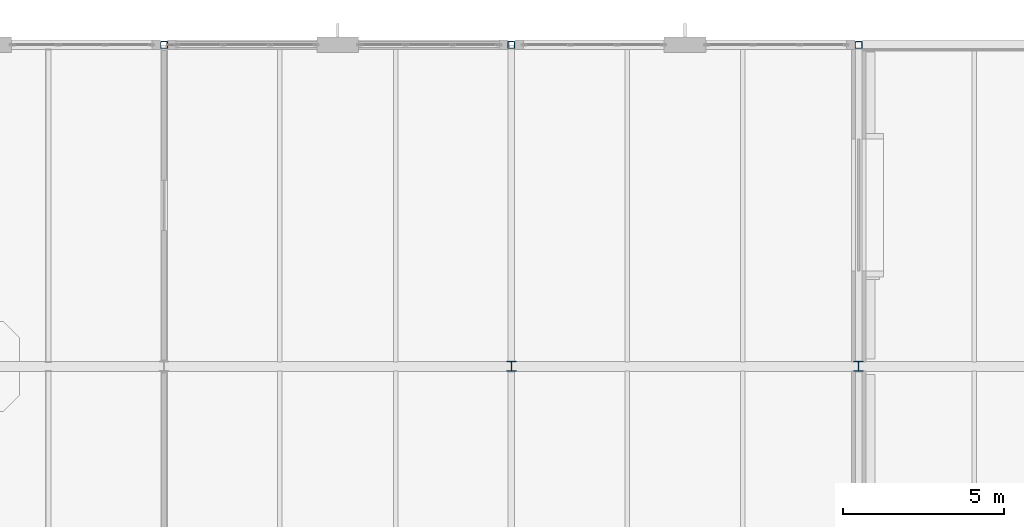
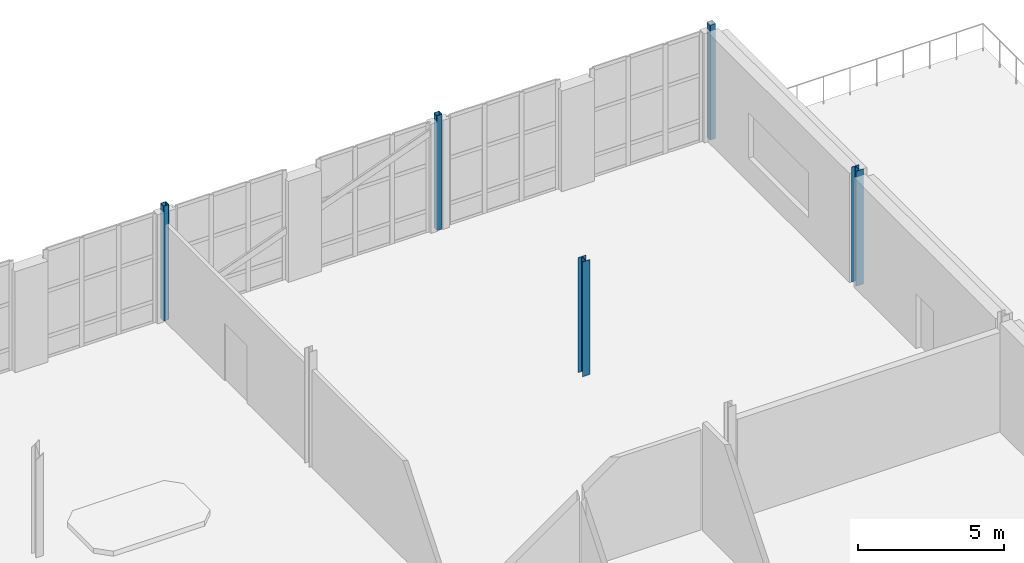
# One storey, part 9 of 86: 5 columns.
"""IFC4 building model written with IfcOpenShell, lengths in metres."""

from ifc_helpers import new_model, si_unit, direction, frame, origin, origin_2d, place, context, subcontext, project, spatial, hollow_rectangle, i_section, extrude, material, material_profile, profile_set, type_object, element, save


model = new_model("IFC4")

# Units and contexts
model_context = context("Model", 3, precision=1e-05, world=origin(), true_north=direction((0.0, 1.0)))
body_context = subcontext(model_context, "Body", "Model", "MODEL_VIEW")
ifc_project = project(units=[si_unit("LENGTHUNIT", "METRE"), si_unit("AREAUNIT", "SQUARE_METRE"), si_unit("VOLUMEUNIT", "CUBIC_METRE"), si_unit("PLANEANGLEUNIT", "RADIAN"), si_unit("MASSUNIT", "GRAM", prefix="KILO")], contexts=[model_context])

# Site, building, storey
site_placement = place(None, origin())
site = spatial("IfcSite", under=ifc_project, at=site_placement, CompositionType="ELEMENT")
building_placement = place(site_placement, origin())
building = spatial("IfcBuilding", under=site, at=building_placement, Name="Tasgan Crest Museum", CompositionType="ELEMENT")
storey_placement = place(building_placement, frame((0.0, 0.0, 24.0)))
storey = spatial("IfcBuildingStorey", under=building, at=storey_placement, Name="L04", CompositionType="ELEMENT", Elevation=24.0)

# Columns
ifc_material_1 = material(Name="Steel S355J2", Category="steel")
ifc_material_profile_1 = material_profile(ifc_material_1, i_section(OverallWidth=0.300048828125, OverallDepth=0.31005859375, WebThickness=0.009033203125, FlangeThickness=0.015380859375, FilletRadius=0.027099609375, at=origin_2d()), Name="HEA 320")
ifc_profile_set_1 = profile_set([ifc_material_profile_1], Name="Steel S355J2")
column_type_1 = type_object("IfcColumnType", Name="COL-HEA320", PredefinedType="COLUMN", material=ifc_profile_set_1)
for number, where, z_axis, x_axis, name in (
    (1, (75.60009765625, 102.0, 0.0), (0.0, 0.0, 1.0), (1.0, 0.0, 0.0), "Column 8/L L04"),
    (2, (86.39990234375, 102.0, 0.0), (0.0, 0.0, 1.0), (1.0, 0.0, 0.0), "Column 9/L L04"),
):
    element("IfcColumn", number, at=place(storey_placement, frame(where, z_axis=z_axis, x_axis=x_axis)), inside=storey, type_object=column_type_1, Name=name, PredefinedType="COLUMN", context=body_context, shape_type="SweptSolid", body=[
        extrude(i_section(OverallWidth=0.300048828125, OverallDepth=0.31005859375, WebThickness=0.009033203125, FlangeThickness=0.015380859375, FilletRadius=0.027099609375, at=origin_2d()), origin(), (0.0, 0.0, 1.0), 4.800048828125),
    ])
ifc_material_2 = material(Name="Steel S355J2", Category="steel")
ifc_material_profile_2 = material_profile(ifc_material_2, hollow_rectangle(XDim=0.219970703125, YDim=0.219970703125, WallThickness=0.012451171875, InnerFilletRadius=0.012451171875, OuterFilletRadius=0.02490234375, at=origin_2d()), Name="SHS 220x220x12.5")
ifc_profile_set_2 = profile_set([ifc_material_profile_2], Name="Steel S355J2")
column_type_2 = type_object("IfcColumnType", Name="COL-SHS220", PredefinedType="COLUMN", material=ifc_profile_set_2)
for number, where, z_axis, x_axis, name in (
    (3, (64.800048828125, 112.0, 0.0), (0.0, 0.0, 1.0), (1.0, 0.0, 0.0), "Column 7/M L04"),
    (4, (75.60009765625, 112.0, 0.0), (0.0, 0.0, 1.0), (1.0, 0.0, 0.0), "Column 8/M L04"),
    (5, (86.39990234375, 112.0, 0.0), (0.0, 0.0, 1.0), (1.0, 0.0, 0.0), "Column 9/M L04"),
):
    element("IfcColumn", number, at=place(storey_placement, frame(where, z_axis=z_axis, x_axis=x_axis)), inside=storey, type_object=column_type_2, Name=name, PredefinedType="COLUMN", context=body_context, shape_type="SweptSolid", body=[
        extrude(hollow_rectangle(XDim=0.219970703125, YDim=0.219970703125, WallThickness=0.012451171875, InnerFilletRadius=0.012451171875, OuterFilletRadius=0.02490234375, at=origin_2d()), origin(), (0.0, 0.0, 1.0), 4.800048828125),
    ])

save(model, "model.ifc")
